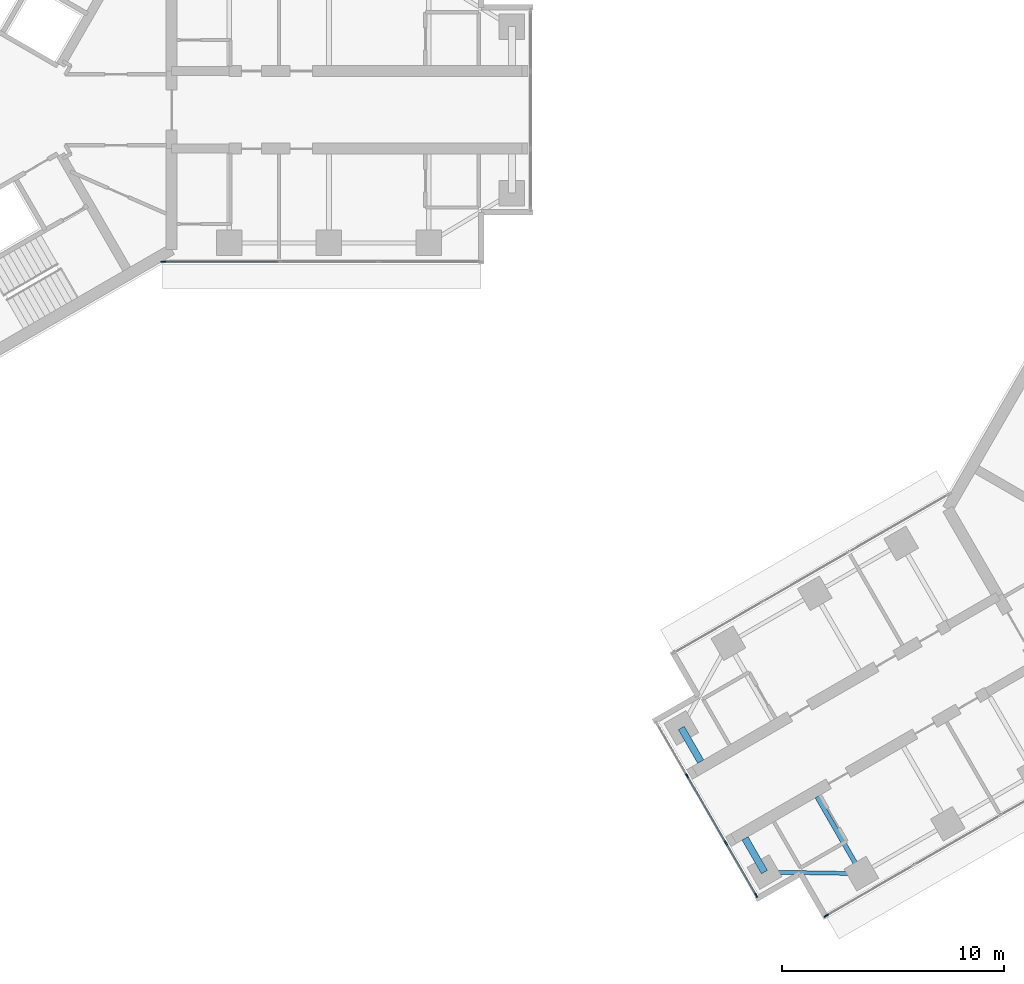
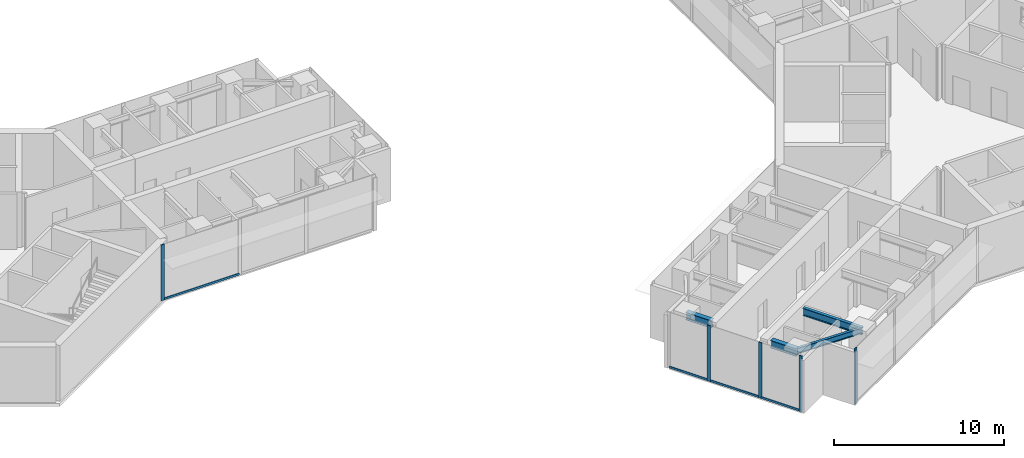
# One storey, part 2 of 17: 9 members, 4 beams, 3 elements without a shape of their own.
"""IFC4 building model written with IfcOpenShell, lengths in metres."""

from ifc_helpers import new_model, si_unit, direction, frame, origin, origin_2d, place, context, subcontext, project, spatial, rectangle, i_section, extrude, material, material_profile, profile_set, type_object, element, aggregate, save


model = new_model("IFC4")

# Units and contexts
model_context = context("Model", 3, precision=1e-05, world=origin(), true_north=direction((0.0, 1.0)))
body_context = subcontext(model_context, "Body", "Model", "MODEL_VIEW")
ifc_project = project(units=[si_unit("LENGTHUNIT", "METRE"), si_unit("AREAUNIT", "SQUARE_METRE"), si_unit("VOLUMEUNIT", "CUBIC_METRE"), si_unit("PLANEANGLEUNIT", "RADIAN"), si_unit("MASSUNIT", "GRAM", prefix="KILO")], contexts=[model_context])

# Site, building, storey
site_placement = place(None, origin())
site = spatial("IfcSite", under=ifc_project, at=site_placement, CompositionType="ELEMENT")
building_placement = place(site_placement, origin())
building = spatial("IfcBuilding", under=site, at=building_placement, Name="Upepo Twin Towers", CompositionType="ELEMENT")
storey_placement = place(building_placement, frame((0.0, 0.0, 194.5)))
storey = spatial("IfcBuildingStorey", under=building, at=storey_placement, Name="L47", CompositionType="ELEMENT", Elevation=194.5)

# Beams
ifc_material_1 = material(Name="Steel S355", Category="steel")
ifc_material_profile_1 = material_profile(ifc_material_1, i_section(OverallWidth=0.177978515625, OverallDepth=0.406494140625, WebThickness=0.0078125, FlangeThickness=0.0126953125, FilletRadius=0.01025390625, at=origin_2d()), Name="UB 406x178x60")
ifc_profile_set_1 = profile_set([ifc_material_profile_1], Name="Steel S355")
beam_type_1 = type_object("IfcBeamType", Name="Beam UB 406x178x60", PredefinedType="BEAM", material=ifc_profile_set_1)
beam_1_placement = place(storey_placement, frame((42.014404296875, -34.446044921875, 3.5966796875), z_axis=(-0.999858804832, 0.016803880528, 0.0), x_axis=(-0.016803880528, -0.999858804832, 0.0)))
element("IfcBeam", 1, at=beam_1_placement, inside=storey, type_object=beam_type_1, Name="T2 nose edge beam BL", PredefinedType="BEAM", context=body_context, shape_type="SweptSolid", body=[
    extrude(i_section(OverallWidth=0.177978515625, OverallDepth=0.406494140625, WebThickness=0.0078125, FlangeThickness=0.0126953125, FilletRadius=0.01025390625, at=origin_2d()), origin(), (0.0, 0.0, 1.0), 4.373291015625),
])
ifc_material_2 = material(Name="Steel S355", Category="steel")
ifc_material_profile_2 = material_profile(ifc_material_2, i_section(OverallWidth=0.209228515625, OverallDepth=0.533203125, WebThickness=0.010009765625, FlangeThickness=0.015625, FilletRadius=0.0126953125, at=origin_2d()), Name="UB 533x210x92")
ifc_profile_set_2 = profile_set([ifc_material_profile_2], Name="Steel S355")
beam_type_2 = type_object("IfcBeamType", Name="Beam UB 533x210x92", PredefinedType="BEAM", material=ifc_profile_set_2)
beam_2_placement = place(storey_placement, frame((42.014404296875, -34.446044921875, 3.533447265625), z_axis=(-0.49999894854, 0.866026010844, 0.0), x_axis=(-0.866026010844, -0.49999894854, 0.0)))
element("IfcBeam", 2, at=beam_2_placement, inside=storey, type_object=beam_type_2, Name="T2 girder BL at 22.5", PredefinedType="BEAM", context=body_context, shape_type="SweptSolid", body=[
    extrude(i_section(OverallWidth=0.209228515625, OverallDepth=0.533203125, WebThickness=0.010009765625, FlangeThickness=0.015625, FilletRadius=0.0126953125, at=origin_2d()), origin(), (0.0, 0.0, 1.0), 4.0),
])
ifc_material_3 = material(Name="Steel S355", Category="steel")
ifc_material_profile_3 = material_profile(ifc_material_3, i_section(OverallWidth=0.31201171875, OverallDepth=0.54345703125, WebThickness=0.0126953125, FlangeThickness=0.020263671875, FilletRadius=0.0126953125, at=origin_2d()), Name="UB 533x312x150")
ifc_profile_set_3 = profile_set([ifc_material_profile_3], Name="Steel S355")
beam_type_3 = type_object("IfcBeamType", Name="Beam UB 533x312x150", PredefinedType="BEAM", material=ifc_profile_set_3)
for number, where, z_axis, x_axis, name in (
    (3, (37.641845703125, -34.37255859375, 3.5283203125), (-0.499980071345, 0.866036909293, 0.0), (-0.866036909293, -0.499980071345, 0.0), "T2 nose beam BL"),
    (4, (33.891845703125, -27.87744140625, 3.5283203125), (0.499980071345, -0.866036909293, 0.0), (0.866036909293, 0.499980071345, 0.0), "T2 nose beam BR"),
):
    element("IfcBeam", number, at=place(storey_placement, frame(where, z_axis=z_axis, x_axis=x_axis)), inside=storey, type_object=beam_type_3, Name=name, PredefinedType="BEAM", context=body_context, shape_type="SweptSolid", body=[
        extrude(i_section(OverallWidth=0.31201171875, OverallDepth=0.54345703125, WebThickness=0.0126953125, FlangeThickness=0.020263671875, FilletRadius=0.0126953125, at=origin_2d()), origin(), (0.0, 0.0, 1.0), 1.75),
    ])

# Curtain wall, member
ifc_material_4 = material(Name="Aluminium and fritted glass", Category="aluminium")
curtain_wall_type = type_object("IfcCurtainWallType", Name="Tower curtain wall TW3, fritted glass", PredefinedType="NOTDEFINED", material=ifc_material_4)
curtain_wall_1_placement = place(storey_placement, origin())
curtain_wall_1 = element("IfcCurtainWall", 5, at=curtain_wall_1_placement, inside=storey, type_object=curtain_wall_type, Name="T1 L47 wing A flank R curtain wall", PredefinedType="NOTDEFINED")
ifc_material_5 = material(Name="Aluminium mullion", Category="aluminium")
ifc_material_profile_4 = material_profile(ifc_material_5, rectangle(XDim=0.06494140625, YDim=0.22509765625, at=origin_2d()), Name="MULLION 65x225")
ifc_profile_set_4 = profile_set([ifc_material_profile_4], Name="Aluminium mullion")
member_type_1 = type_object("IfcMemberType", Name="Mullion 65x225 TW3", PredefinedType="MULLION", material=ifc_profile_set_4)
member_1_placement = place(storey_placement, frame((10.51953125, -6.85009765625, 0.0), z_axis=(0.0, 0.0, 1.0), x_axis=(0.0, -1.0, 0.0)))
member_1 = element("IfcMember", 6, at=member_1_placement, type_object=member_type_1, Name="T1 L47 wing A flank R curtain wall mullion 4", PredefinedType="MULLION", context=body_context, shape_type="SweptSolid", body=[
    extrude(rectangle(XDim=0.06494140625, YDim=0.22509765625, at=origin_2d()), origin(), (0.0, 0.0, 1.0), 4.0),
])

curtain_wall_2_placement = place(storey_placement, origin())
curtain_wall_2 = element("IfcCurtainWall", 7, at=curtain_wall_2_placement, inside=storey, type_object=curtain_wall_type, Name="T2 L47 wing B flank L curtain wall", PredefinedType="NOTDEFINED")
member_2_placement = place(storey_placement, frame((40.432373046875, -36.341064453125, 0.0), z_axis=(0.0, 0.0, 1.0), x_axis=(0.500000026527, -0.866025388469, 0.0)))
member_2 = element("IfcMember", 8, at=member_2_placement, type_object=member_type_1, Name="T2 L47 wing B flank L curtain wall mullion 4", PredefinedType="MULLION", context=body_context, shape_type="SweptSolid", body=[
    extrude(rectangle(XDim=0.06494140625, YDim=0.22509765625, at=origin_2d()), origin(), (0.0, 0.0, 1.0), 4.0),
])
aggregate(curtain_wall_2, [member_2])

# Curtain wall, members
curtain_wall_3_placement = place(storey_placement, origin())
curtain_wall_3 = element("IfcCurtainWall", 9, at=curtain_wall_3_placement, inside=storey, type_object=curtain_wall_type, Name="T2 L47 wing B nose curtain wall", PredefinedType="NOTDEFINED")
member_3_placement = place(storey_placement, frame((34.15576171875, -30.034423828125, 0.0), z_axis=(0.0, 0.0, 1.0), x_axis=(0.866025386174, 0.500000030502, 0.0)))
member_3 = element("IfcMember", 10, at=member_3_placement, type_object=member_type_1, Name="T2 L47 wing B nose curtain wall mullion 2", PredefinedType="MULLION", context=body_context, shape_type="SweptSolid", body=[
    extrude(rectangle(XDim=0.06494140625, YDim=0.22509765625, at=origin_2d()), origin(), (0.0, 0.0, 1.0), 4.0),
])
member_4_placement = place(storey_placement, frame((35.90576171875, -33.0654296875, 0.0), z_axis=(0.0, 0.0, 1.0), x_axis=(0.866025386174, 0.500000030502, 0.0)))
member_4 = element("IfcMember", 11, at=member_4_placement, type_object=member_type_1, Name="T2 L47 wing B nose curtain wall mullion 3", PredefinedType="MULLION", context=body_context, shape_type="SweptSolid", body=[
    extrude(rectangle(XDim=0.06494140625, YDim=0.22509765625, at=origin_2d()), origin(), (0.0, 0.0, 1.0), 4.0),
])
member_5_placement = place(storey_placement, frame((37.264404296875, -35.4189453125, 0.0), z_axis=(0.0, 0.0, 1.0), x_axis=(0.866025386174, 0.500000030502, 0.0)))
member_5 = element("IfcMember", 12, at=member_5_placement, type_object=member_type_1, Name="T2 L47 wing B nose curtain wall mullion 4", PredefinedType="MULLION", context=body_context, shape_type="SweptSolid", body=[
    extrude(rectangle(XDim=0.06494140625, YDim=0.22509765625, at=origin_2d()), origin(), (0.0, 0.0, 1.0), 4.0),
])

# Member
ifc_material_6 = material(Name="Aluminium transom", Category="aluminium")
ifc_material_profile_5 = material_profile(ifc_material_6, rectangle(XDim=0.06494140625, YDim=0.14990234375, at=origin_2d()), Name="TRANSOM 65x150")
ifc_profile_set_5 = profile_set([ifc_material_profile_5], Name="Aluminium transom")
member_type_2 = type_object("IfcMemberType", Name="Transom 65x150 TW3", PredefinedType="USERDEFINED", material=ifc_profile_set_5)
member_6_placement = place(storey_placement, frame((15.717529296875, -6.85009765625, 0.074951171875), z_axis=(-1.0, 0.0, 0.0), x_axis=(0.0, -1.0, 0.0)))
member_6 = element("IfcMember", 13, at=member_6_placement, type_object=member_type_2, Name="T1 L47 wing A flank R curtain wall transom 3", ObjectType="TRANSOM", PredefinedType="USERDEFINED", context=body_context, shape_type="SweptSolid", body=[
    extrude(rectangle(XDim=0.06494140625, YDim=0.14990234375, at=origin_2d()), origin(), (0.0, 0.0, 1.0), 5.16552734375),
])

aggregate(curtain_wall_1, [member_1, member_6])

member_7_placement = place(storey_placement, frame((32.813232421875, -27.709228515625, 0.074951171875), z_axis=(0.499980071345, -0.866036909293, 0.0), x_axis=(0.866036909293, 0.499980071345, 0.0)))
member_7 = element("IfcMember", 14, at=member_7_placement, type_object=member_type_2, Name="T2 L47 wing B nose curtain wall transom 1", ObjectType="TRANSOM", PredefinedType="USERDEFINED", context=body_context, shape_type="SweptSolid", body=[
    extrude(rectangle(XDim=0.06494140625, YDim=0.14990234375, at=origin_2d()), origin(), (0.0, 0.0, 1.0), 2.65234375),
])

member_8_placement = place(storey_placement, frame((34.171875, -30.0625, 0.074951171875), z_axis=(0.499999305434, -0.866025804792, 0.0), x_axis=(0.866025804792, 0.499999305434, 0.0)))
member_8 = element("IfcMember", 15, at=member_8_placement, type_object=member_type_2, Name="T2 L47 wing B nose curtain wall transom 2", ObjectType="TRANSOM", PredefinedType="USERDEFINED", context=body_context, shape_type="SweptSolid", body=[
    extrude(rectangle(XDim=0.06494140625, YDim=0.14990234375, at=origin_2d()), origin(), (0.0, 0.0, 1.0), 3.43505859375),
])

member_9_placement = place(storey_placement, frame((35.921875, -33.09375, 0.074951171875), z_axis=(0.500049101008, -0.865997053448, 0.0), x_axis=(0.865997053448, 0.500049101008, 0.0)))
member_9 = element("IfcMember", 16, at=member_9_placement, type_object=member_type_2, Name="T2 L47 wing B nose curtain wall transom 3", ObjectType="TRANSOM", PredefinedType="USERDEFINED", context=body_context, shape_type="SweptSolid", body=[
    extrude(rectangle(XDim=0.06494140625, YDim=0.14990234375, at=origin_2d()), origin(), (0.0, 0.0, 1.0), 2.652587890625),
])

aggregate(curtain_wall_3, [member_3, member_4, member_5, member_7, member_8, member_9])

save(model, "model.ifc")
